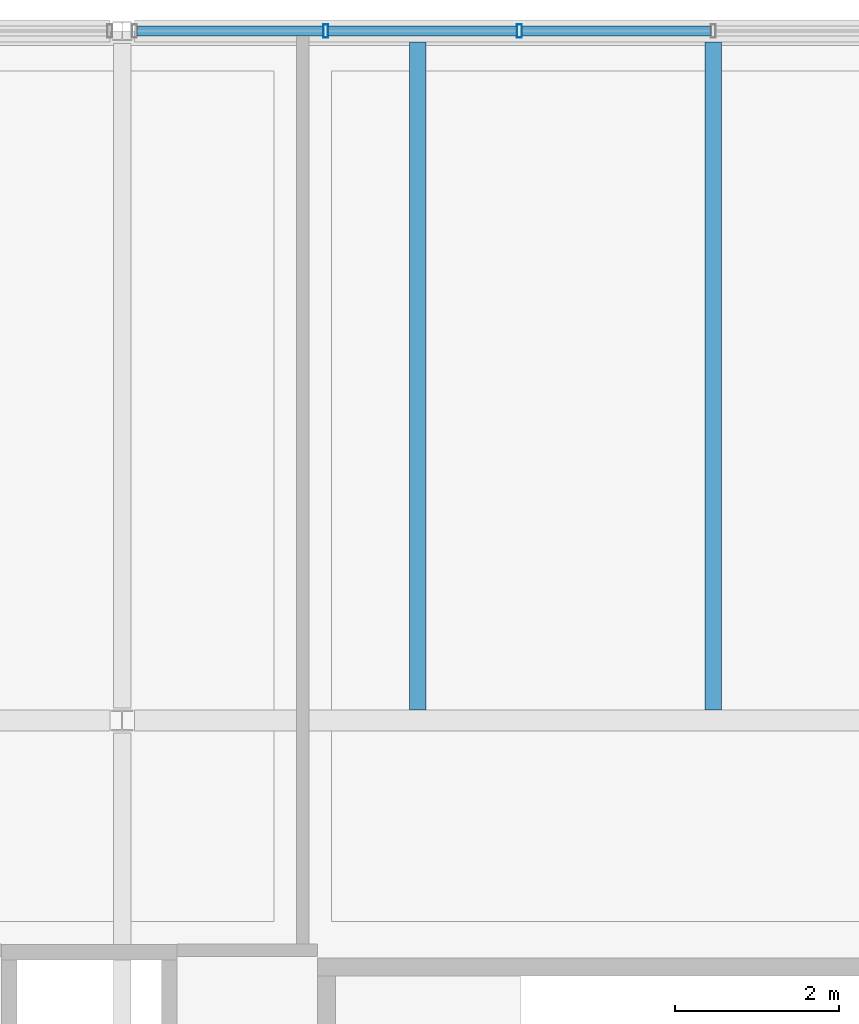
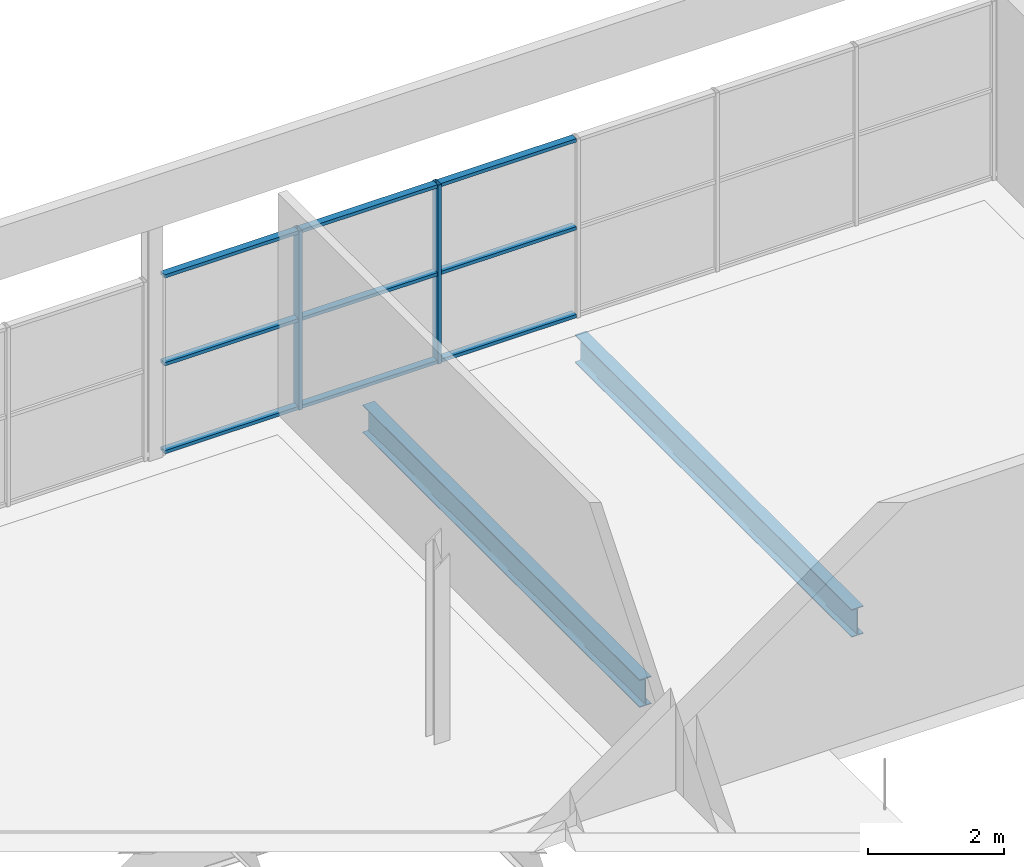
# One storey, part 34 of 43: 11 members, 2 beams, 1 element without a shape of its own.
"""IFC4 building model written with IfcOpenShell, lengths in metres."""

from ifc_helpers import new_model, si_unit, direction, frame, origin, origin_2d, place, context, subcontext, project, spatial, hollow_rectangle, i_section, extrude, material, material_profile, profile_set, type_object, element, aggregate, save


model = new_model("IFC4")

# Units and contexts
model_context = context("Model", 3, precision=1e-05, world=origin(), true_north=direction((0.0, 1.0)))
body_context = subcontext(model_context, "Body", "Model", "MODEL_VIEW")
ifc_project = project(units=[si_unit("LENGTHUNIT", "METRE"), si_unit("AREAUNIT", "SQUARE_METRE"), si_unit("VOLUMEUNIT", "CUBIC_METRE"), si_unit("PLANEANGLEUNIT", "RADIAN"), si_unit("MASSUNIT", "GRAM", prefix="KILO"), si_unit("THERMODYNAMICTEMPERATUREUNIT", "KELVIN")], contexts=[model_context])

# Site, building, storey
site_placement = place(None, origin())
site = spatial("IfcSite", under=ifc_project, at=site_placement, CompositionType="ELEMENT")
building_placement = place(site_placement, origin())
building = spatial("IfcBuilding", under=site, at=building_placement, Name="Nduvali Passage Aquatics Centre", CompositionType="ELEMENT")
storey_placement = place(building_placement, frame((0.0, 0.0, 17.39990234375)))
storey = spatial("IfcBuildingStorey", under=building, at=storey_placement, Name="L04", CompositionType="ELEMENT", Elevation=17.39990234375)

# Curtain wall, members
ifc_material_1 = material(Name="Aluminium EN AW-6063 T6", Category="aluminium")
curtain_wall_type = type_object("IfcCurtainWallType", Name="ENV-CW-WELL", PredefinedType="NOTDEFINED", material=ifc_material_1)
curtain_wall_placement = place(storey_placement, origin())
curtain_wall = element("IfcCurtainWall", 1, at=curtain_wall_placement, inside=storey, type_object=curtain_wall_type, Name="L04 North Avenue Recovery Lounge CW 116", PredefinedType="NOTDEFINED")
ifc_material_profile_1 = material_profile(ifc_material_1, hollow_rectangle(XDim=0.06005859375, YDim=0.159912109375, WallThickness=0.00390625, at=origin_2d()), Name="ALU MULLION 60x160x4")
ifc_profile_set_1 = profile_set([ifc_material_profile_1], Name="Aluminium EN AW-6063 T6")
member_type_1 = type_object("IfcMemberType", Name="ENV-MEM-MUL60", PredefinedType="MULLION", material=ifc_profile_set_1)
member_1_placement = place(storey_placement, frame((114.080078125, 117.60009765625, 0.0), z_axis=(0.0, 0.0, 1.0), x_axis=(1.0, 0.0, 0.0)))
member_1 = element("IfcMember", 2, at=member_1_placement, type_object=member_type_1, Name="North Avenue Recovery Lounge CW Mullion 2", PredefinedType="MULLION", context=body_context, shape_type="SweptSolid", body=[
    extrude(hollow_rectangle(XDim=0.06005859375, YDim=0.159912109375, WallThickness=0.00390625, at=origin_2d()), origin(), (0.0, 0.0, 1.0), 3.2138671875),
])
member_2_placement = place(storey_placement, frame((116.43994140625, 117.60009765625, 0.0), z_axis=(0.0, 0.0, 1.0), x_axis=(1.0, 0.0, 0.0)))
member_2 = element("IfcMember", 3, at=member_2_placement, type_object=member_type_1, Name="North Avenue Recovery Lounge CW Mullion 3", PredefinedType="MULLION", context=body_context, shape_type="SweptSolid", body=[
    extrude(hollow_rectangle(XDim=0.06005859375, YDim=0.159912109375, WallThickness=0.00390625, at=origin_2d()), origin(), (0.0, 0.0, 1.0), 3.2138671875),
])
ifc_material_profile_2 = material_profile(ifc_material_1, hollow_rectangle(XDim=0.1201171875, YDim=0.06005859375, WallThickness=0.00390625, at=origin_2d()), Name="ALU TRANSOM 120x60x4")
ifc_profile_set_2 = profile_set([ifc_material_profile_2], Name="Aluminium EN AW-6063 T6")
member_type_2 = type_object("IfcMemberType", Name="ENV-MEM-TRN60", PredefinedType="USERDEFINED", material=ifc_profile_set_2)
member_3_placement = place(storey_placement, frame((111.780029296875, 117.60009765625, 0.030029296875), z_axis=(1.0, 0.0, 0.0), x_axis=(0.0, 1.0, 0.0)))
member_3 = element("IfcMember", 4, at=member_3_placement, type_object=member_type_2, Name="North Avenue Recovery Lounge CW Transom B1-R0", ObjectType="TRANSOM", PredefinedType="USERDEFINED", context=body_context, shape_type="SweptSolid", body=[
    extrude(hollow_rectangle(XDim=0.1201171875, YDim=0.06005859375, WallThickness=0.00390625, at=origin_2d()), origin(), (0.0, 0.0, 1.0), 2.27001953125),
])
member_4_placement = place(storey_placement, frame((111.780029296875, 117.60009765625, 1.60693359375), z_axis=(1.0, 0.0, 0.0), x_axis=(0.0, 1.0, 0.0)))
member_4 = element("IfcMember", 5, at=member_4_placement, type_object=member_type_2, Name="North Avenue Recovery Lounge CW Transom B1-R1", ObjectType="TRANSOM", PredefinedType="USERDEFINED", context=body_context, shape_type="SweptSolid", body=[
    extrude(hollow_rectangle(XDim=0.1201171875, YDim=0.06005859375, WallThickness=0.00390625, at=origin_2d()), origin(), (0.0, 0.0, 1.0), 2.27001953125),
])
member_5_placement = place(storey_placement, frame((111.780029296875, 117.60009765625, 3.183837890625), z_axis=(1.0, 0.0, 0.0), x_axis=(0.0, 1.0, 0.0)))
member_5 = element("IfcMember", 6, at=member_5_placement, type_object=member_type_2, Name="North Avenue Recovery Lounge CW Transom B1-R2", ObjectType="TRANSOM", PredefinedType="USERDEFINED", context=body_context, shape_type="SweptSolid", body=[
    extrude(hollow_rectangle(XDim=0.1201171875, YDim=0.06005859375, WallThickness=0.00390625, at=origin_2d()), origin(), (0.0, 0.0, 1.0), 2.27001953125),
])
member_6_placement = place(storey_placement, frame((114.110107421875, 117.60009765625, 0.030029296875), z_axis=(1.0, 0.0, 0.0), x_axis=(0.0, 1.0, 0.0)))
member_6 = element("IfcMember", 7, at=member_6_placement, type_object=member_type_2, Name="North Avenue Recovery Lounge CW Transom B2-R0", ObjectType="TRANSOM", PredefinedType="USERDEFINED", context=body_context, shape_type="SweptSolid", body=[
    extrude(hollow_rectangle(XDim=0.1201171875, YDim=0.06005859375, WallThickness=0.00390625, at=origin_2d()), origin(), (0.0, 0.0, 1.0), 2.2998046875),
])
member_7_placement = place(storey_placement, frame((114.110107421875, 117.60009765625, 1.60693359375), z_axis=(1.0, 0.0, 0.0), x_axis=(0.0, 1.0, 0.0)))
member_7 = element("IfcMember", 8, at=member_7_placement, type_object=member_type_2, Name="North Avenue Recovery Lounge CW Transom B2-R1", ObjectType="TRANSOM", PredefinedType="USERDEFINED", context=body_context, shape_type="SweptSolid", body=[
    extrude(hollow_rectangle(XDim=0.1201171875, YDim=0.06005859375, WallThickness=0.00390625, at=origin_2d()), origin(), (0.0, 0.0, 1.0), 2.2998046875),
])
member_8_placement = place(storey_placement, frame((114.110107421875, 117.60009765625, 3.183837890625), z_axis=(1.0, 0.0, 0.0), x_axis=(0.0, 1.0, 0.0)))
member_8 = element("IfcMember", 9, at=member_8_placement, type_object=member_type_2, Name="North Avenue Recovery Lounge CW Transom B2-R2", ObjectType="TRANSOM", PredefinedType="USERDEFINED", context=body_context, shape_type="SweptSolid", body=[
    extrude(hollow_rectangle(XDim=0.1201171875, YDim=0.06005859375, WallThickness=0.00390625, at=origin_2d()), origin(), (0.0, 0.0, 1.0), 2.2998046875),
])
member_9_placement = place(storey_placement, frame((116.469970703125, 117.60009765625, 0.030029296875), z_axis=(1.0, 0.0, 0.0), x_axis=(0.0, 1.0, 0.0)))
member_9 = element("IfcMember", 10, at=member_9_placement, type_object=member_type_2, Name="North Avenue Recovery Lounge CW Transom B3-R0", ObjectType="TRANSOM", PredefinedType="USERDEFINED", context=body_context, shape_type="SweptSolid", body=[
    extrude(hollow_rectangle(XDim=0.1201171875, YDim=0.06005859375, WallThickness=0.00390625, at=origin_2d()), origin(), (0.0, 0.0, 1.0), 2.300048828125),
])
member_10_placement = place(storey_placement, frame((116.469970703125, 117.60009765625, 1.60693359375), z_axis=(1.0, 0.0, 0.0), x_axis=(0.0, 1.0, 0.0)))
member_10 = element("IfcMember", 11, at=member_10_placement, type_object=member_type_2, Name="North Avenue Recovery Lounge CW Transom B3-R1", ObjectType="TRANSOM", PredefinedType="USERDEFINED", context=body_context, shape_type="SweptSolid", body=[
    extrude(hollow_rectangle(XDim=0.1201171875, YDim=0.06005859375, WallThickness=0.00390625, at=origin_2d()), origin(), (0.0, 0.0, 1.0), 2.300048828125),
])
member_11_placement = place(storey_placement, frame((116.469970703125, 117.60009765625, 3.183837890625), z_axis=(1.0, 0.0, 0.0), x_axis=(0.0, 1.0, 0.0)))
member_11 = element("IfcMember", 12, at=member_11_placement, type_object=member_type_2, Name="North Avenue Recovery Lounge CW Transom B3-R2", ObjectType="TRANSOM", PredefinedType="USERDEFINED", context=body_context, shape_type="SweptSolid", body=[
    extrude(hollow_rectangle(XDim=0.1201171875, YDim=0.06005859375, WallThickness=0.00390625, at=origin_2d()), origin(), (0.0, 0.0, 1.0), 2.300048828125),
])
aggregate(curtain_wall, [member_1, member_2, member_3, member_4, member_5, member_6, member_7, member_8, member_9, member_10, member_11])

# Beams
ifc_material_2 = material(Name="Steel S355", Category="steel")
ifc_material_profile_3 = material_profile(ifc_material_2, i_section(OverallWidth=0.199951171875, OverallDepth=0.5, WebThickness=0.01025390625, FlangeThickness=0.01611328125, FilletRadius=0.02099609375, at=origin_2d()), Name="IPE 500")
ifc_profile_set_3 = profile_set([ifc_material_profile_3], Name="Steel S355")
beam_type = type_object("IfcBeamType", Name="STR-JST-IPE500", PredefinedType="JOIST", material=ifc_profile_set_3)
for number, where, z_axis, x_axis, name in (
    (13, (115.199951171875, 109.326904296875, -0.48388671875), (0.0, 1.0, 0.0), (-1.0, 0.0, 0.0), "L04 Secondary Joist J5A-1437"),
    (14, (118.800048828125, 109.326904296875, -0.48388671875), (0.0, 1.0, 0.0), (-1.0, 0.0, 0.0), "L04 Secondary Joist J5A-1438"),
):
    element("IfcBeam", number, at=place(storey_placement, frame(where, z_axis=z_axis, x_axis=x_axis)), inside=storey, type_object=beam_type, Name=name, PredefinedType="JOIST", context=body_context, shape_type="SweptSolid", body=[
        extrude(i_section(OverallWidth=0.199951171875, OverallDepth=0.5, WebThickness=0.01025390625, FlangeThickness=0.01611328125, FilletRadius=0.02099609375, at=origin_2d()), origin(), (0.0, 0.0, 1.0), 8.139892578125),
    ])

save(model, "model.ifc")
